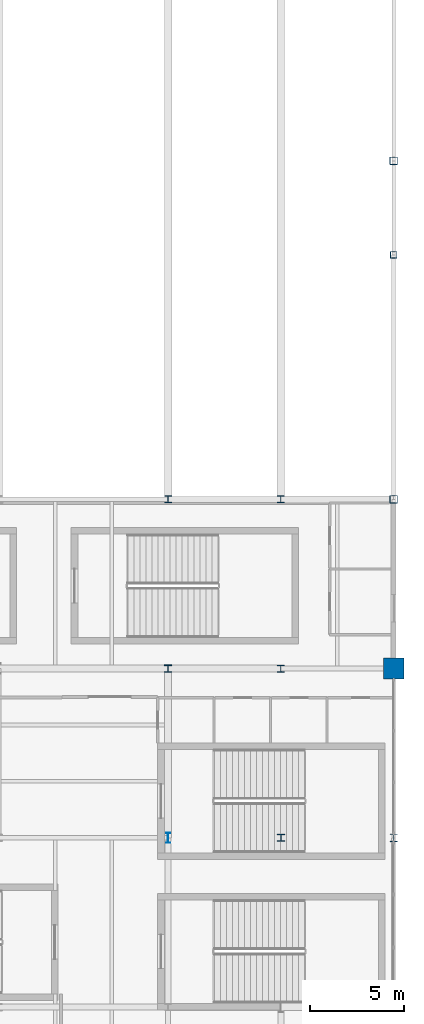
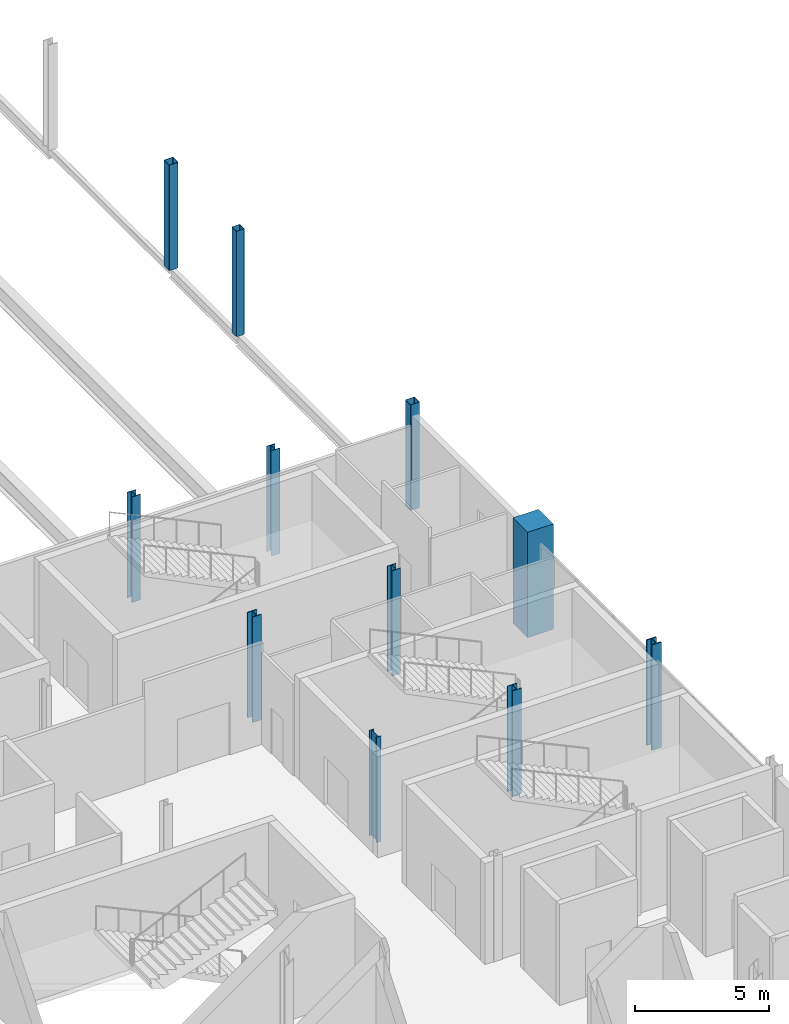
# One storey, part 18 of 224: 11 columns.
"""IFC4 building model written with IfcOpenShell, lengths in metres."""

from ifc_helpers import new_model, si_unit, direction, frame, origin, origin_2d, place, context, subcontext, project, spatial, rectangle, hollow_rectangle, i_section, extrude, material, material_profile, profile_set, type_object, element, save


model = new_model("IFC4")

# Units and contexts
model_context = context("Model", 3, precision=1e-05, world=origin(), true_north=direction((0.0, 1.0)))
body_context = subcontext(model_context, "Body", "Model", "MODEL_VIEW")
ifc_project = project(units=[si_unit("LENGTHUNIT", "METRE"), si_unit("AREAUNIT", "SQUARE_METRE"), si_unit("VOLUMEUNIT", "CUBIC_METRE"), si_unit("PLANEANGLEUNIT", "RADIAN"), si_unit("MASSUNIT", "GRAM", prefix="KILO")], contexts=[model_context])

# Site, building, storey
site_placement = place(None, origin())
site = spatial("IfcSite", under=ifc_project, at=site_placement, CompositionType="ELEMENT")
building_placement = place(site_placement, origin())
building = spatial("IfcBuilding", under=site, at=building_placement, Name="Qamarlyn Nura Convention Centre", CompositionType="ELEMENT")
storey_placement = place(building_placement, frame((0.0, 0.0, 10.800048828125)))
storey = spatial("IfcBuildingStorey", under=building, at=storey_placement, Name="L02", CompositionType="ELEMENT", Elevation=10.800048828125)

# Columns
ifc_material_1 = material(Name="Steel ASTM A500 Grade C", Category="steel")
ifc_material_profile_1 = material_profile(ifc_material_1, hollow_rectangle(XDim=0.39990234375, YDim=0.39990234375, WallThickness=0.01611328125, InnerFilletRadius=0.01611328125, OuterFilletRadius=0.031982421875, at=origin_2d()), Name="HSS400X400X16")
ifc_profile_set_1 = profile_set([ifc_material_profile_1], Name="Steel ASTM A500 Grade C")
column_type_1 = type_object("IfcColumnType", Name="COL-HSS-1", PredefinedType="COLUMN", material=ifc_profile_set_1)
for number, where, z_axis, x_axis, name in (
    (1, (192.0, 90.0, 0.0), (0.0, 0.0, 1.0), (1.0, 0.0, 0.0), "L02 column 18/L"),
    (2, (192.0, 108.0, 0.0), (0.0, 0.0, 1.0), (1.0, 0.0, 0.0), "L02 column 18/N"),
):
    element("IfcColumn", number, at=place(storey_placement, frame(where, z_axis=z_axis, x_axis=x_axis)), inside=storey, type_object=column_type_1, Name=name, PredefinedType="COLUMN", context=body_context, shape_type="SweptSolid", body=[
        extrude(hollow_rectangle(XDim=0.39990234375, YDim=0.39990234375, WallThickness=0.01611328125, InnerFilletRadius=0.01611328125, OuterFilletRadius=0.031982421875, at=origin_2d()), origin(), (0.0, 0.0, 1.0), 4.800048828125),
    ])
ifc_material_profile_2 = material_profile(ifc_material_1, hollow_rectangle(XDim=0.35009765625, YDim=0.35009765625, WallThickness=0.012451171875, InnerFilletRadius=0.012451171875, OuterFilletRadius=0.02490234375, at=origin_2d()), Name="HSS350X350X12.5")
ifc_profile_set_2 = profile_set([ifc_material_profile_2], Name="Steel ASTM A500 Grade C")
column_type_2 = type_object("IfcColumnType", Name="COL-HSS-2", PredefinedType="COLUMN", material=ifc_profile_set_2)
column_1_placement = place(storey_placement, frame((192.0, 103.0, 0.0), z_axis=(0.0, 0.0, 1.0), x_axis=(1.0, 0.0, 0.0)))
element("IfcColumn", 3, at=column_1_placement, inside=storey, type_object=column_type_2, Name="L02 column 18/M", PredefinedType="COLUMN", context=body_context, shape_type="SweptSolid", body=[
    extrude(hollow_rectangle(XDim=0.35009765625, YDim=0.35009765625, WallThickness=0.012451171875, InnerFilletRadius=0.012451171875, OuterFilletRadius=0.02490234375, at=origin_2d()), origin(), (0.0, 0.0, 1.0), 4.800048828125),
])
ifc_material_2 = material(Name="Steel ASTM A992", Category="steel")
ifc_material_profile_3 = material_profile(ifc_material_2, i_section(OverallWidth=0.408935546875, OverallDepth=0.425048828125, WebThickness=0.030517578125, FlangeThickness=0.049072265625, FilletRadius=0.02001953125, at=origin_2d()), Name="W360X421")
ifc_profile_set_3 = profile_set([ifc_material_profile_3], Name="Steel ASTM A992")
column_type_3 = type_object("IfcColumnType", Name="COL-MEGA-1", PredefinedType="COLUMN", material=ifc_profile_set_3)
column_2_placement = place(storey_placement, frame((192.0, 72.0, 0.0), z_axis=(0.0, 0.0, 1.0), x_axis=(1.0, 0.0, 0.0)))
element("IfcColumn", 4, at=column_2_placement, inside=storey, type_object=column_type_3, Name="L02 column 18/J", PredefinedType="COLUMN", context=body_context, shape_type="SweptSolid", body=[
    extrude(i_section(OverallWidth=0.408935546875, OverallDepth=0.425048828125, WebThickness=0.030517578125, FlangeThickness=0.049072265625, FilletRadius=0.02001953125, at=origin_2d()), origin(), (0.0, 0.0, 1.0), 4.800048828125),
])
ifc_material_3 = material(Name="Concrete C50/60", Category="concrete")
ifc_material_profile_4 = material_profile(ifc_material_3, rectangle(XDim=1.10009765625, YDim=1.10009765625, at=origin_2d()), Name="RC 1100x1100")
ifc_profile_set_4 = profile_set([ifc_material_profile_4], Name="Concrete C50/60")
column_type_4 = type_object("IfcColumnType", Name="COL-MEGA-2", PredefinedType="COLUMN", material=ifc_profile_set_4)
column_3_placement = place(storey_placement, frame((192.0, 81.0, 0.0), z_axis=(0.0, 0.0, 1.0), x_axis=(1.0, 0.0, 0.0)))
element("IfcColumn", 5, at=column_3_placement, inside=storey, type_object=column_type_4, Name="L02 column 18/K", PredefinedType="COLUMN", context=body_context, shape_type="SweptSolid", body=[
    extrude(rectangle(XDim=1.10009765625, YDim=1.10009765625, at=origin_2d()), origin(), (0.0, 0.0, 1.0), 4.800048828125),
])
ifc_material_profile_5 = material_profile(ifc_material_2, i_section(OverallWidth=0.39892578125, OverallDepth=0.39306640625, WebThickness=0.022705078125, FlangeThickness=0.03662109375, FilletRadius=0.01806640625, at=origin_2d()), Name="W360X287")
ifc_profile_set_5 = profile_set([ifc_material_profile_5], Name="Steel ASTM A992")
column_type_5 = type_object("IfcColumnType", Name="COL-WING-1", PredefinedType="COLUMN", material=ifc_profile_set_5)
for number, where, z_axis, x_axis, name in (
    (6, (180.0, 81.0, 0.0), (0.0, 0.0, 1.0), (1.0, 0.0, 0.0), "L02 column 16/K"),
    (7, (186.0, 72.0, 0.0), (0.0, 0.0, 1.0), (1.0, 0.0, 0.0), "L02 column 17/J"),
):
    element("IfcColumn", number, at=place(storey_placement, frame(where, z_axis=z_axis, x_axis=x_axis)), inside=storey, type_object=column_type_5, Name=name, PredefinedType="COLUMN", context=body_context, shape_type="SweptSolid", body=[
        extrude(i_section(OverallWidth=0.39892578125, OverallDepth=0.39306640625, WebThickness=0.022705078125, FlangeThickness=0.03662109375, FilletRadius=0.01806640625, at=origin_2d()), origin(), (0.0, 0.0, 1.0), 4.800048828125),
    ])
ifc_material_profile_6 = material_profile(ifc_material_2, i_section(OverallWidth=0.3740234375, OverallDepth=0.3720703125, WebThickness=0.016357421875, FlangeThickness=0.026123046875, FilletRadius=0.01611328125, at=origin_2d()), Name="W360X196")
ifc_profile_set_6 = profile_set([ifc_material_profile_6], Name="Steel ASTM A992")
column_type_6 = type_object("IfcColumnType", Name="COL-WING-2", PredefinedType="COLUMN", material=ifc_profile_set_6)
for number, where, z_axis, x_axis, name in (
    (8, (180.0, 90.0, 0.0), (0.0, 0.0, 1.0), (1.0, 0.0, 0.0), "L02 column 16/L"),
    (9, (186.0, 81.0, 0.0), (0.0, 0.0, 1.0), (1.0, 0.0, 0.0), "L02 column 17/K"),
):
    element("IfcColumn", number, at=place(storey_placement, frame(where, z_axis=z_axis, x_axis=x_axis)), inside=storey, type_object=column_type_6, Name=name, PredefinedType="COLUMN", context=body_context, shape_type="SweptSolid", body=[
        extrude(i_section(OverallWidth=0.3740234375, OverallDepth=0.3720703125, WebThickness=0.016357421875, FlangeThickness=0.026123046875, FilletRadius=0.01611328125, at=origin_2d()), origin(), (0.0, 0.0, 1.0), 4.800048828125),
    ])
ifc_material_profile_7 = material_profile(ifc_material_2, i_section(OverallWidth=0.368896484375, OverallDepth=0.35595703125, WebThickness=0.01123046875, FlangeThickness=0.01806640625, FilletRadius=0.014892578125, at=origin_2d()), Name="W360X134")
ifc_profile_set_7 = profile_set([ifc_material_profile_7], Name="Steel ASTM A992")
column_type_7 = type_object("IfcColumnType", Name="COL-WING-3", PredefinedType="COLUMN", material=ifc_profile_set_7)
column_4_placement = place(storey_placement, frame((186.0, 90.0, 0.0), z_axis=(0.0, 0.0, 1.0), x_axis=(1.0, 0.0, 0.0)))
element("IfcColumn", 10, at=column_4_placement, inside=storey, type_object=column_type_7, Name="L02 column 17/L", PredefinedType="COLUMN", context=body_context, shape_type="SweptSolid", body=[
    extrude(i_section(OverallWidth=0.368896484375, OverallDepth=0.35595703125, WebThickness=0.01123046875, FlangeThickness=0.01806640625, FilletRadius=0.014892578125, at=origin_2d()), origin(), (0.0, 0.0, 1.0), 4.800048828125),
])
ifc_material_profile_8 = material_profile(ifc_material_2, i_section(OverallWidth=0.2109375, OverallDepth=0.5390625, WebThickness=0.01171875, FlangeThickness=0.018798828125, FilletRadius=0.013916015625, at=origin_2d()), Name="W530X109")
ifc_profile_set_8 = profile_set([ifc_material_profile_8], Name="Steel ASTM A992")
column_type_8 = type_object("IfcColumnType", Name="COL-WING-7", PredefinedType="COLUMN", material=ifc_profile_set_8)
column_5_placement = place(storey_placement, frame((180.0, 72.0, 0.0), z_axis=(0.0, 0.0, 1.0), x_axis=(1.0, 0.0, 0.0)))
element("IfcColumn", 11, at=column_5_placement, inside=storey, type_object=column_type_8, Name="L02 column 16/J", PredefinedType="COLUMN", context=body_context, shape_type="SweptSolid", body=[
    extrude(i_section(OverallWidth=0.2109375, OverallDepth=0.5390625, WebThickness=0.01171875, FlangeThickness=0.018798828125, FilletRadius=0.013916015625, at=origin_2d()), origin(), (0.0, 0.0, 1.0), 4.800048828125),
])

save(model, "model.ifc")
